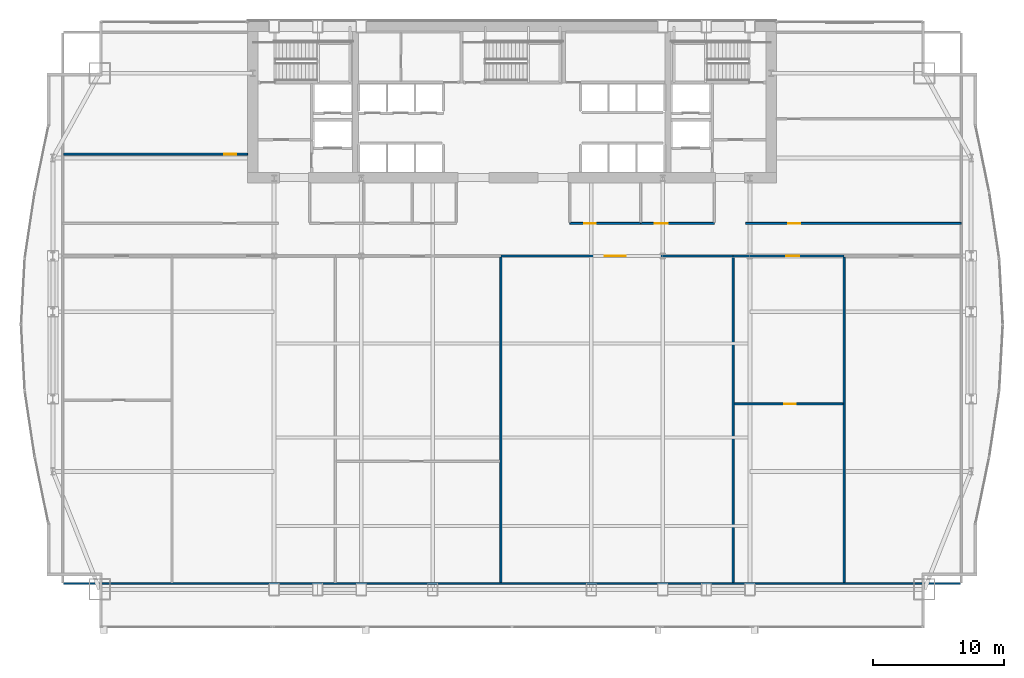
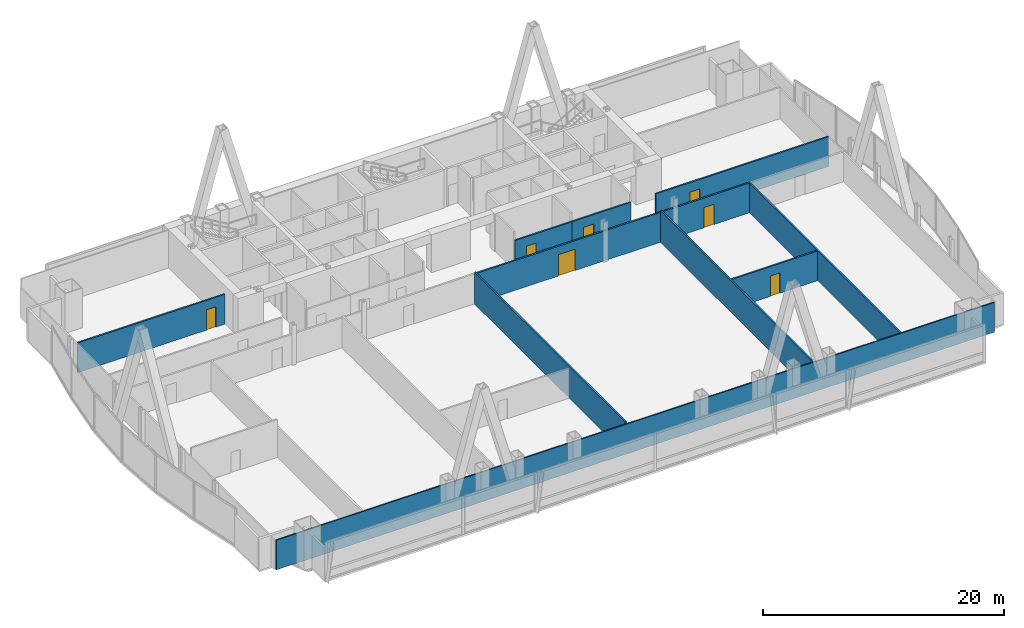
# One storey, part 31 of 36: 11 walls, 7 doors, 7 openings.
"""IFC4 building model written with IfcOpenShell, lengths in metres."""

from ifc_helpers import new_model, si_unit, direction, frame, frame_2d, origin, place, context, subcontext, project, spatial, rectangle, extrude, material, layer, layer_set, type_object, element, fill, save


model = new_model("IFC4")

# Units and contexts
model_context = context("Model", 3, precision=1e-05, world=origin(), true_north=direction((0.0, 1.0)))
body_context = subcontext(model_context, "Body", "Model", "MODEL_VIEW")
ifc_project = project(units=[si_unit("LENGTHUNIT", "METRE"), si_unit("AREAUNIT", "SQUARE_METRE"), si_unit("VOLUMEUNIT", "CUBIC_METRE"), si_unit("PLANEANGLEUNIT", "RADIAN"), si_unit("MASSUNIT", "GRAM", prefix="KILO")], contexts=[model_context])

# Site, building, storey
site_placement = place(None, origin())
site = spatial("IfcSite", under=ifc_project, at=site_placement, CompositionType="ELEMENT")
building_placement = place(site_placement, origin())
building = spatial("IfcBuilding", under=site, at=building_placement, Name="Khoronbel Lancet Exchange", CompositionType="ELEMENT")
storey_placement = place(building_placement, frame((0.0, 0.0, 49.800048828125)))
storey = spatial("IfcBuildingStorey", under=building, at=storey_placement, Name="L11", CompositionType="ELEMENT", Elevation=49.800048828125)

# Wall, opening, door
ifc_material_1 = material(Name="Acoustic Metal-Stud & Mineral-Wool Gypsum Partition 120 mm", Category="gypsum")
ifc_layer_1 = layer(ifc_material_1, 0.1201171875, Name="Acoustic Metal-Stud & Mineral-Wool Gypsum Partition 120 mm")
ifc_layer_set_1 = layer_set([ifc_layer_1], Name="Acoustic Metal-Stud & Mineral-Wool Gypsum Partition 120 mm")
wall_type_1 = type_object("IfcWallType", Name="WL-PRT120", PredefinedType="PARTITIONING", material=ifc_layer_set_1)
wall_1_placement = place(storey_placement, frame((2.094970703125, 43.5, 0.0), z_axis=(0.0, 0.0, 1.0), x_axis=(1.0, 0.0, 0.0)))
wall_1 = element("IfcWall", 1, at=wall_1_placement, inside=storey, type_object=wall_type_1, Name="Level L11 interior partition PW-NW-H", PredefinedType="PARTITIONING", context=body_context, shape_type="SweptSolid", body=[
    extrude(rectangle(XDim=14.10498046875, YDim=0.14990234375, at=frame_2d((7.052490234375, 0.0))), origin(), (0.0, 0.0, 1.0), 3.010009765625),
])
opening_1_placement = place(wall_1_placement, frame((12.320068359375, 0.0, 0.0)))
opening_1 = element("IfcOpeningElement", 2, at=opening_1_placement, cuts=wall_1, Name="Opening D5", PredefinedType="OPENING", context=body_context, shape_type="SweptSolid", body=[
    extrude(rectangle(XDim=0.89990234375, YDim=2.050048828125, at=frame_2d((0.449951171875, 1.02490234375))), frame((0.0, 0.0849609375, 0.0), z_axis=(0.0, -1.0, 0.0), x_axis=(1.0, 0.0, 0.0)), (0.0, 0.0, 1.0), 0.169921875),
])
ifc_material_2 = material(Name="Acoustic Timber Pantry & Support Door", Category="wood")
door_type_1 = type_object("IfcDoorType", Name="DR-D5", OperationType="NOTDEFINED", PredefinedType="DOOR", material=ifc_material_2)
door_1_placement = place(opening_1_placement, origin())
door_1 = element("IfcDoor", 3, at=door_1_placement, inside=storey, type_object=door_type_1, Name="NW north room door L11-1", OperationType="SINGLE_SWING_LEFT", OverallHeight=2.050048828125, OverallWidth=0.89990234375, PredefinedType="DOOR", context=body_context, shape_type="SweptSolid", body=[
    extrude(rectangle(XDim=0.89990234375, YDim=2.050048828125, at=frame_2d((0.449951171875, 1.02490234375))), frame((0.0, 0.02490234375, 0.0), z_axis=(0.0, -1.0, 0.0), x_axis=(1.0, 0.0, 0.0)), (0.0, 0.0, 1.0), 0.050048828125),
])
fill(opening_1, door_1)

wall_2_placement = place(storey_placement, frame((53.472412109375, 24.369384765625, 0.0), z_axis=(0.0, 0.0, 1.0), x_axis=(1.0, 0.0, 0.0)))
wall_2 = element("IfcWall", 4, at=wall_2_placement, inside=storey, type_object=wall_type_1, Name="Level L11 interior partition PW-Z1S-H5", PredefinedType="PARTITIONING", context=body_context, shape_type="SweptSolid", body=[
    extrude(rectangle(XDim=8.349365234375, YDim=0.14990234375, at=frame_2d((4.1748046875, 0.0))), origin(), (0.0, 0.0, 1.0), 3.010009765625),
])
opening_2_placement = place(wall_2_placement, frame((3.829345703125, 0.0, 0.0)))
opening_2 = element("IfcOpeningElement", 5, at=opening_2_placement, cuts=wall_2, Name="Opening D5", PredefinedType="OPENING", context=body_context, shape_type="SweptSolid", body=[
    extrude(rectangle(XDim=0.89990234375, YDim=2.050048828125, at=frame_2d((0.449951171875, 1.02490234375))), frame((0.0, 0.0849609375, 0.0), z_axis=(0.0, -1.0, 0.0), x_axis=(1.0, 0.0, 0.0)), (0.0, 0.0, 1.0), 0.169921875),
])
door_2_placement = place(opening_2_placement, origin())
door_2 = element("IfcDoor", 6, at=door_2_placement, inside=storey, type_object=door_type_1, Name="Z1S inner door 5 L11-1", OperationType="SINGLE_SWING_LEFT", OverallHeight=2.050048828125, OverallWidth=0.89990234375, PredefinedType="DOOR", context=body_context, shape_type="SweptSolid", body=[
    extrude(rectangle(XDim=0.89990234375, YDim=2.050048828125, at=frame_2d((0.449951171875, 1.02490234375))), frame((0.0, 0.02490234375, 0.0), z_axis=(0.0, -1.0, 0.0), x_axis=(1.0, 0.0, 0.0)), (0.0, 0.0, 1.0), 0.050048828125),
])
fill(opening_2, door_2)

# Wall
wall_3_placement = place(storey_placement, frame((2.094970703125, 10.60009765625, 0.0), z_axis=(0.0, 0.0, 1.0), x_axis=(1.0, 0.0, 0.0)))
element("IfcWall", 7, at=wall_3_placement, inside=storey, type_object=wall_type_1, Name="Level L11 interior partition PW-LIN-S", PredefinedType="PARTITIONING", context=body_context, shape_type="SweptSolid", body=[
    extrude(rectangle(XDim=68.7099609375, YDim=0.1201171875, at=frame_2d((34.35498046875, 0.0))), origin(), (0.0, 0.0, 1.0), 3.010009765625),
])

# Wall, opening, door
ifc_material_3 = material(Name="Fire-Rated Twin-Stud Acoustic Gypsum Partition 150 mm", Category="gypsum")
ifc_layer_2 = layer(ifc_material_3, 0.14990234375, Name="Fire-Rated Twin-Stud Acoustic Gypsum Partition 150 mm")
ifc_layer_set_2 = layer_set([ifc_layer_2], Name="Fire-Rated Twin-Stud Acoustic Gypsum Partition 150 mm")
wall_type_2 = type_object("IfcWallType", Name="WL-PRT150C", PredefinedType="PARTITIONING", material=ifc_layer_set_2)
wall_4_placement = place(storey_placement, frame((40.8798828125, 38.199951171875, 0.0), z_axis=(0.0, 0.0, 1.0), x_axis=(1.0, 0.0, 0.0)))
wall_4 = element("IfcWall", 8, at=wall_4_placement, inside=storey, type_object=wall_type_2, Name="Level L11 interior partition PW-NP-S1", PredefinedType="PARTITIONING", context=body_context, shape_type="SweptSolid", body=[
    extrude(rectangle(XDim=5.420166015625, YDim=0.14990234375, at=frame_2d((2.7099609375, 0.0))), origin(), (0.0, 0.0, 1.0), 3.010009765625),
])
opening_3_placement = place(wall_4_placement, frame((1.10009765625, 0.0, 0.0)))
opening_3 = element("IfcOpeningElement", 9, at=opening_3_placement, cuts=wall_4, Name="Opening D5", PredefinedType="OPENING", context=body_context, shape_type="SweptSolid", body=[
    extrude(rectangle(XDim=0.89990234375, YDim=2.050048828125, at=frame_2d((0.449951171875, 1.02490234375))), frame((0.0, 0.0849609375, 0.0), z_axis=(0.0, -1.0, 0.0), x_axis=(1.0, 0.0, 0.0)), (0.0, 0.0, 1.0), 0.169921875),
])
door_3_placement = place(opening_3_placement, origin())
door_3 = element("IfcDoor", 10, at=door_3_placement, inside=storey, type_object=door_type_1, Name="Floor refreshment pantry door L11-1", OperationType="SINGLE_SWING_LEFT", OverallHeight=2.050048828125, OverallWidth=0.89990234375, PredefinedType="DOOR", context=body_context, shape_type="SweptSolid", body=[
    extrude(rectangle(XDim=0.89990234375, YDim=2.050048828125, at=frame_2d((0.449951171875, 1.02490234375))), frame((0.0, 0.02490234375, 0.0), z_axis=(0.0, -1.0, 0.0), x_axis=(1.0, 0.0, 0.0)), (0.0, 0.0, 1.0), 0.050048828125),
])
fill(opening_3, door_3)

wall_5_placement = place(storey_placement, frame((46.300048828125, 38.199951171875, 0.0), z_axis=(0.0, 0.0, 1.0), x_axis=(1.0, 0.0, 0.0)))
wall_5 = element("IfcWall", 11, at=wall_5_placement, inside=storey, type_object=wall_type_2, Name="Level L11 interior partition PW-NP-S2", PredefinedType="PARTITIONING", context=body_context, shape_type="SweptSolid", body=[
    extrude(rectangle(XDim=5.64990234375, YDim=0.14990234375, at=frame_2d((2.824951171875, 0.0))), origin(), (0.0, 0.0, 1.0), 3.010009765625),
])
opening_4_placement = place(wall_5_placement, frame((1.10009765625, 0.0, 0.0)))
opening_4 = element("IfcOpeningElement", 12, at=opening_4_placement, cuts=wall_5, Name="Opening D2", PredefinedType="OPENING", context=body_context, shape_type="SweptSolid", body=[
    extrude(rectangle(XDim=1.0, YDim=2.050048828125, at=frame_2d((0.5, 1.02490234375))), frame((0.0, 0.0849609375, 0.0), z_axis=(0.0, -1.0, 0.0), x_axis=(1.0, 0.0, 0.0)), (0.0, 0.0, 1.0), 0.169921875),
])
ifc_material_4 = material(Name="Acoustic Veneered Timber & Bronze Frame Door", Category="wood")
door_type_2 = type_object("IfcDoorType", Name="DR-D2", OperationType="NOTDEFINED", PredefinedType="DOOR", material=ifc_material_4)
door_4_placement = place(opening_4_placement, origin())
door_4 = element("IfcDoor", 13, at=door_4_placement, inside=storey, type_object=door_type_2, Name="Floor store door L11-1", OperationType="SINGLE_SWING_RIGHT", OverallHeight=2.050048828125, OverallWidth=1.0, PredefinedType="DOOR", context=body_context, shape_type="SweptSolid", body=[
    extrude(rectangle(XDim=1.0, YDim=2.050048828125, at=frame_2d((0.5, 1.02490234375))), frame((0.0, 0.02490234375, 0.0), z_axis=(0.0, -1.0, 0.0), x_axis=(1.0, 0.0, 0.0)), (0.0, 0.0, 1.0), 0.050048828125),
])
fill(opening_4, door_4)

wall_6_placement = place(storey_placement, frame((54.35009765625, 38.199951171875, 0.0), z_axis=(0.0, 0.0, 1.0), x_axis=(1.0, 0.0, 0.0)))
wall_6 = element("IfcWall", 14, at=wall_6_placement, inside=storey, type_object=wall_type_2, Name="Level L11 interior partition PW-NE-S", PredefinedType="PARTITIONING", context=body_context, shape_type="SweptSolid", body=[
    extrude(rectangle(XDim=16.52001953125, YDim=0.14990234375, at=frame_2d((8.260009765625, 0.0))), origin(), (0.0, 0.0, 1.0), 3.010009765625),
])
opening_5_placement = place(wall_6_placement, frame((3.25, 0.0, 0.0)))
opening_5 = element("IfcOpeningElement", 15, at=opening_5_placement, cuts=wall_6, Name="Opening D1", PredefinedType="OPENING", context=body_context, shape_type="SweptSolid", body=[
    extrude(rectangle(XDim=0.949951171875, YDim=2.050048828125, at=frame_2d((0.47509765625, 1.02490234375))), frame((0.0, 0.0849609375, 0.0), z_axis=(0.0, -1.0, 0.0), x_axis=(1.0, 0.0, 0.0)), (0.0, 0.0, 1.0), 0.169921875),
])
door_type_3 = type_object("IfcDoorType", Name="DR-D1", OperationType="NOTDEFINED", PredefinedType="DOOR", material=ifc_material_4)
door_5_placement = place(opening_5_placement, origin())
door_5 = element("IfcDoor", 16, at=door_5_placement, inside=storey, type_object=door_type_3, Name="NE corner room door L11-1", OperationType="SINGLE_SWING_RIGHT", OverallHeight=2.050048828125, OverallWidth=0.949951171875, PredefinedType="DOOR", context=body_context, shape_type="SweptSolid", body=[
    extrude(rectangle(XDim=0.949951171875, YDim=2.050048828125, at=frame_2d((0.47509765625, 1.02490234375))), frame((0.0, 0.02490234375, 0.0), z_axis=(0.0, -1.0, 0.0), x_axis=(1.0, 0.0, 0.0)), (0.0, 0.0, 1.0), 0.050048828125),
])
fill(opening_5, door_5)

# Walls
for number, where, z_axis, x_axis, name in (
    (17, (35.594970703125, 10.6650390625, 0.0), (0.0, 0.0, 1.0), (0.0, 1.0, 0.0), "Level L11 interior partition PW-Z1S-V3"),
    (18, (53.392333984375, 10.6650390625, 0.0), (0.0, 0.0, 1.0), (0.0, 1.0, 0.0), "Level L11 interior partition PW-Z1S-V4"),
):
    element("IfcWall", number, at=place(storey_placement, frame(where, z_axis=z_axis, x_axis=x_axis)), inside=storey, type_object=wall_type_2, Name=name, PredefinedType="PARTITIONING", context=body_context, shape_type="SweptSolid", body=[
        extrude(rectangle(XDim=24.949951171875, YDim=0.14990234375, at=frame_2d((12.47509765625, 0.0))), origin(), (0.0, 0.0, 1.0), 3.2099609375),
    ])
wall_7_placement = place(storey_placement, frame((61.90185546875, 10.6650390625, 0.0), z_axis=(0.0, 0.0, 1.0), x_axis=(0.0, 1.0, 0.0)))
element("IfcWall", 19, at=wall_7_placement, inside=storey, type_object=wall_type_2, Name="Level L11 interior partition PW-Z1S-V5", PredefinedType="PARTITIONING", context=body_context, shape_type="SweptSolid", body=[
    extrude(rectangle(XDim=24.949951171875, YDim=0.14990234375, at=frame_2d((12.47509765625, 0.0))), origin(), (0.0, 0.0, 1.0), 3.010009765625),
])

# Wall, opening, door
ifc_material_5 = material(Name="Fire-Rated Twin-Stud Acoustic Gypsum Partition 160 mm", Category="gypsum")
ifc_layer_3 = layer(ifc_material_5, 0.159912109375, Name="Fire-Rated Twin-Stud Acoustic Gypsum Partition 160 mm")
ifc_layer_set_3 = layer_set([ifc_layer_3], Name="Fire-Rated Twin-Stud Acoustic Gypsum Partition 160 mm")
wall_type_3 = type_object("IfcWallType", Name="WL-PRT160C", PredefinedType="PARTITIONING", material=ifc_layer_set_3)
wall_8_placement = place(storey_placement, frame((35.594970703125, 35.699951171875, 0.0), z_axis=(0.0, 0.0, 1.0), x_axis=(1.0, 0.0, 0.0)))
wall_8 = element("IfcWall", 20, at=wall_8_placement, inside=storey, type_object=wall_type_3, Name="Level L11 interior partition PW-Z1S-COR4", PredefinedType="PARTITIONING", context=body_context, shape_type="SweptSolid", body=[
    extrude(rectangle(XDim=17.79736328125, YDim=0.159912109375, at=frame_2d((8.898681640625, 0.0))), origin(), (0.0, 0.0, 1.0), 3.010009765625),
])
opening_6_placement = place(wall_8_placement, frame((7.974853515625, 0.0, 0.0)))
opening_6 = element("IfcOpeningElement", 21, at=opening_6_placement, cuts=wall_8, Name="Opening D3", PredefinedType="OPENING", context=body_context, shape_type="SweptSolid", body=[
    extrude(rectangle(XDim=1.60009765625, YDim=2.14990234375, at=frame_2d((0.800048828125, 1.074951171875))), frame((0.0, 0.08984375, 0.0), z_axis=(0.0, -1.0, 0.0), x_axis=(1.0, 0.0, 0.0)), (0.0, 0.0, 1.0), 0.179931640625),
])
ifc_material_6 = material(Name="Glazed Bronze-Framed Double Suite Door", Category="aluminium")
door_type_4 = type_object("IfcDoorType", Name="DR-D3", OperationType="NOTDEFINED", PredefinedType="DOOR", material=ifc_material_6)
door_6_placement = place(opening_6_placement, origin())
door_6 = element("IfcDoor", 22, at=door_6_placement, inside=storey, type_object=door_type_4, Name="Z1S bay 4 door L11-1", OperationType="DOUBLE_DOOR_SINGLE_SWING", OverallHeight=2.14990234375, OverallWidth=1.60009765625, PredefinedType="DOOR", context=body_context, shape_type="SweptSolid", body=[
    extrude(rectangle(XDim=1.60009765625, YDim=2.14990234375, at=frame_2d((0.800048828125, 1.074951171875))), frame((0.0, 0.02490234375, 0.0), z_axis=(0.0, -1.0, 0.0), x_axis=(1.0, 0.0, 0.0)), (0.0, 0.0, 1.0), 0.050048828125),
])
fill(opening_6, door_6)

wall_9_placement = place(storey_placement, frame((53.392333984375, 35.699951171875, 0.0), z_axis=(0.0, 0.0, 1.0), x_axis=(1.0, 0.0, 0.0)))
wall_9 = element("IfcWall", 23, at=wall_9_placement, inside=storey, type_object=wall_type_3, Name="Level L11 interior partition PW-Z1S-COR5", PredefinedType="PARTITIONING", context=body_context, shape_type="SweptSolid", body=[
    extrude(rectangle(XDim=8.509521484375, YDim=0.159912109375, at=frame_2d((4.2548828125, 0.0))), origin(), (0.0, 0.0, 1.0), 3.010009765625),
])
opening_7_placement = place(wall_9_placement, frame((4.073974609375, 0.0, 0.0)))
opening_7 = element("IfcOpeningElement", 24, at=opening_7_placement, cuts=wall_9, Name="Opening D2", PredefinedType="OPENING", context=body_context, shape_type="SweptSolid", body=[
    extrude(rectangle(XDim=1.0, YDim=2.050048828125, at=frame_2d((0.5, 1.02490234375))), frame((0.0, 0.08984375, 0.0), z_axis=(0.0, -1.0, 0.0), x_axis=(1.0, 0.0, 0.0)), (0.0, 0.0, 1.0), 0.179931640625),
])
door_7_placement = place(opening_7_placement, origin())
door_7 = element("IfcDoor", 25, at=door_7_placement, inside=storey, type_object=door_type_2, Name="Z1S bay 5 door L11-1", OperationType="SINGLE_SWING_RIGHT", OverallHeight=2.050048828125, OverallWidth=1.0, PredefinedType="DOOR", context=body_context, shape_type="SweptSolid", body=[
    extrude(rectangle(XDim=1.0, YDim=2.050048828125, at=frame_2d((0.5, 1.02490234375))), frame((0.0, 0.02490234375, 0.0), z_axis=(0.0, -1.0, 0.0), x_axis=(1.0, 0.0, 0.0)), (0.0, 0.0, 1.0), 0.050048828125),
])
fill(opening_7, door_7)

save(model, "model.ifc")
